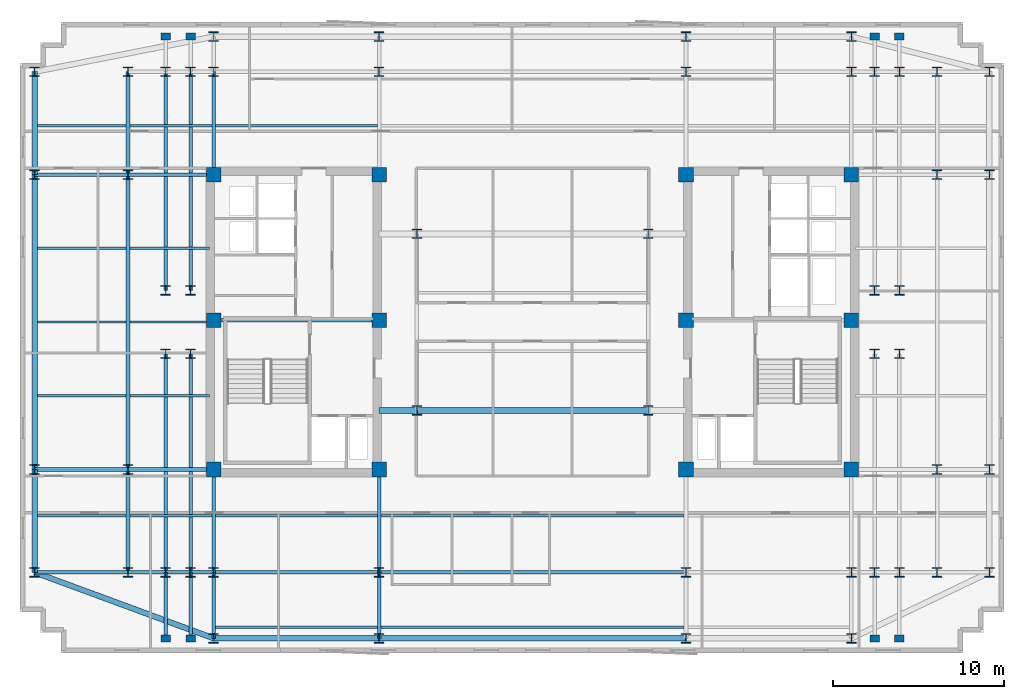
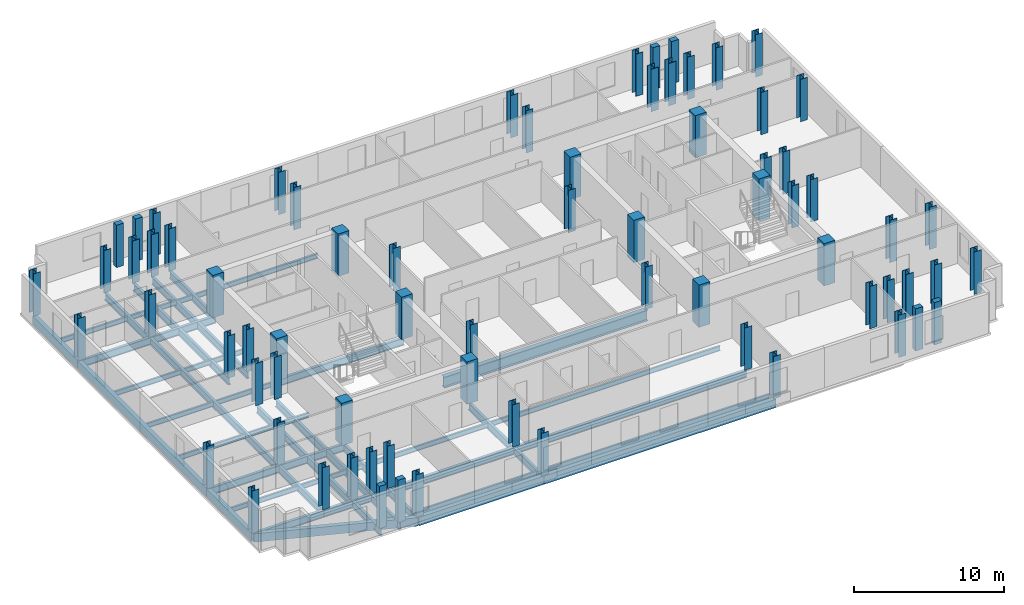
# One storey, part 1 of 9: 72 columns, 46 beams.
"""IFC4 building model written with IfcOpenShell, lengths in metres."""

from ifc_helpers import new_model, si_unit, direction, frame, origin, origin_2d, place, context, subcontext, project, spatial, rectangle, i_section, extrude, material, material_profile, profile_set, type_object, element, save


model = new_model("IFC4")

# Units and contexts
model_context = context("Model", 3, precision=1e-05, world=origin(), true_north=direction((0.0, 1.0)))
body_context = subcontext(model_context, "Body", "Model", "MODEL_VIEW")
ifc_project = project(units=[si_unit("LENGTHUNIT", "METRE"), si_unit("AREAUNIT", "SQUARE_METRE"), si_unit("VOLUMEUNIT", "CUBIC_METRE"), si_unit("PLANEANGLEUNIT", "RADIAN"), si_unit("MASSUNIT", "GRAM", prefix="KILO")], contexts=[model_context])

# Site, building, storey
site_placement = place(None, origin())
site = spatial("IfcSite", under=ifc_project, at=site_placement, CompositionType="ELEMENT")
building_placement = place(site_placement, origin())
building = spatial("IfcBuilding", under=site, at=building_placement, Name="Velakula Bourse", CompositionType="ELEMENT")
storey_placement = place(building_placement, frame((0.0, 0.0, 229.199951171875)))
storey = spatial("IfcBuildingStorey", under=building, at=storey_placement, Name="L62", CompositionType="ELEMENT", Elevation=229.199951171875)

# Columns
ifc_material_1 = material(Name="Concrete M50 (fck 50 MPa)", Category="concrete")
ifc_material_profile_1 = material_profile(ifc_material_1, rectangle(XDim=0.85009765625, YDim=0.85009765625, at=origin_2d()), Name="Concrete M50 (fck 50 MPa)")
ifc_profile_set_1 = profile_set([ifc_material_profile_1], Name="Concrete M50 (fck 50 MPa)")
column_type_1 = type_object("IfcColumnType", Name="COL-RC-850", PredefinedType="COLUMN", material=ifc_profile_set_1)
for number, where, z_axis, x_axis, name in (
    (1, (-8.949951171875, -8.60009765625, 0.0), (0.0, 0.0, 1.0), (1.0, 0.0, 0.0), "L62 Core Boundary Column 01"),
    (2, (-8.949951171875, 0.10009765625, 0.0), (0.0, 0.0, 1.0), (1.0, 0.0, 0.0), "L62 Core Boundary Column 02"),
    (3, (-8.949951171875, 8.60009765625, 0.0), (0.0, 0.0, 1.0), (1.0, 0.0, 0.0), "L62 Core Boundary Column 03"),
    (4, (-18.60009765625, -8.60009765625, 0.0), (0.0, 0.0, 1.0), (1.0, 0.0, 0.0), "L62 Core Boundary Column 04"),
    (5, (-18.60009765625, 0.10009765625, 0.0), (0.0, 0.0, 1.0), (1.0, 0.0, 0.0), "L62 Core Boundary Column 05"),
    (6, (-18.60009765625, 8.60009765625, 0.0), (0.0, 0.0, 1.0), (1.0, 0.0, 0.0), "L62 Core Boundary Column 06"),
    (7, (8.949951171875, -8.60009765625, 0.0), (0.0, 0.0, 1.0), (1.0, 0.0, 0.0), "L62 Core Boundary Column 07"),
    (8, (8.949951171875, 0.10009765625, 0.0), (0.0, 0.0, 1.0), (1.0, 0.0, 0.0), "L62 Core Boundary Column 08"),
    (9, (8.949951171875, 8.60009765625, 0.0), (0.0, 0.0, 1.0), (1.0, 0.0, 0.0), "L62 Core Boundary Column 09"),
    (10, (18.60009765625, -8.60009765625, 0.0), (0.0, 0.0, 1.0), (1.0, 0.0, 0.0), "L62 Core Boundary Column 10"),
    (11, (18.60009765625, 0.10009765625, 0.0), (0.0, 0.0, 1.0), (1.0, 0.0, 0.0), "L62 Core Boundary Column 11"),
    (12, (18.60009765625, 8.60009765625, 0.0), (0.0, 0.0, 1.0), (1.0, 0.0, 0.0), "L62 Core Boundary Column 12"),
):
    element("IfcColumn", number, at=place(storey_placement, frame(where, z_axis=z_axis, x_axis=x_axis)), inside=storey, type_object=column_type_1, Name=name, PredefinedType="COLUMN", context=body_context, shape_type="SweptSolid", body=[
        extrude(rectangle(XDim=0.85009765625, YDim=0.85009765625, at=origin_2d()), origin(), (0.0, 0.0, 1.0), 3.449951171875),
    ])
ifc_material_2 = material(Name="Steel IS 2062 Grade 350 (E350)", Category="steel")
ifc_material_profile_2 = material_profile(ifc_material_2, i_section(OverallWidth=0.550048828125, OverallDepth=0.550048828125, WebThickness=0.02392578125, FlangeThickness=0.035888671875, at=origin_2d()), Name="Steel IS 2062 Grade 350 (E350)")
ifc_profile_set_2 = profile_set([ifc_material_profile_2], Name="Steel IS 2062 Grade 350 (E350)")
column_type_2 = type_object("IfcColumnType", Name="COL-STL-550", PredefinedType="COLUMN", material=ifc_profile_set_2)
for number, where, z_axis, x_axis, name in (
    (13, (-6.75, -5.14990234375, 0.0), (0.0, 0.0, 1.0), (1.0, 0.0, 0.0), "L62 Central Spine Column 01"),
    (14, (-6.75, 5.14990234375, 0.0), (0.0, 0.0, 1.0), (1.0, 0.0, 0.0), "L62 Central Spine Column 02"),
    (15, (6.75, -5.14990234375, 0.0), (0.0, 0.0, 1.0), (1.0, 0.0, 0.0), "L62 Central Spine Column 03"),
    (16, (6.75, 5.14990234375, 0.0), (0.0, 0.0, 1.0), (1.0, 0.0, 0.0), "L62 Central Spine Column 04"),
    (17, (-21.39990234375, -14.60009765625, 0.0), (0.0, 0.0, 1.0), (1.0, 0.0, 0.0), "L62 Tower Fulcrum Column 01"),
    (18, (-21.39990234375, 14.60009765625, 0.0), (0.0, 0.0, 1.0), (1.0, 0.0, 0.0), "L62 Tower Fulcrum Column 02"),
    (19, (-19.949951171875, -14.60009765625, 0.0), (0.0, 0.0, 1.0), (1.0, 0.0, 0.0), "L62 Tower Fulcrum Column 03"),
    (20, (-19.949951171875, 14.60009765625, 0.0), (0.0, 0.0, 1.0), (1.0, 0.0, 0.0), "L62 Tower Fulcrum Column 04"),
    (21, (-18.60009765625, -14.60009765625, 0.0), (0.0, 0.0, 1.0), (1.0, 0.0, 0.0), "L62 Tower Fulcrum Column 05"),
    (22, (-18.60009765625, 14.60009765625, 0.0), (0.0, 0.0, 1.0), (1.0, 0.0, 0.0), "L62 Tower Fulcrum Column 06"),
    (23, (-8.949951171875, -14.60009765625, 0.0), (0.0, 0.0, 1.0), (1.0, 0.0, 0.0), "L62 Tower Fulcrum Column 07"),
    (24, (-8.949951171875, 14.60009765625, 0.0), (0.0, 0.0, 1.0), (1.0, 0.0, 0.0), "L62 Tower Fulcrum Column 08"),
    (25, (8.949951171875, -14.60009765625, 0.0), (0.0, 0.0, 1.0), (1.0, 0.0, 0.0), "L62 Tower Fulcrum Column 09"),
    (26, (8.949951171875, 14.60009765625, 0.0), (0.0, 0.0, 1.0), (1.0, 0.0, 0.0), "L62 Tower Fulcrum Column 10"),
    (27, (18.60009765625, -14.60009765625, 0.0), (0.0, 0.0, 1.0), (1.0, 0.0, 0.0), "L62 Tower Fulcrum Column 11"),
    (28, (18.60009765625, 14.60009765625, 0.0), (0.0, 0.0, 1.0), (1.0, 0.0, 0.0), "L62 Tower Fulcrum Column 12"),
    (29, (19.949951171875, -14.60009765625, 0.0), (0.0, 0.0, 1.0), (1.0, 0.0, 0.0), "L62 Tower Fulcrum Column 13"),
    (30, (19.949951171875, 14.60009765625, 0.0), (0.0, 0.0, 1.0), (1.0, 0.0, 0.0), "L62 Tower Fulcrum Column 14"),
    (31, (21.39990234375, -14.60009765625, 0.0), (0.0, 0.0, 1.0), (1.0, 0.0, 0.0), "L62 Tower Fulcrum Column 15"),
    (32, (21.39990234375, 14.60009765625, 0.0), (0.0, 0.0, 1.0), (1.0, 0.0, 0.0), "L62 Tower Fulcrum Column 16"),
    (33, (-21.39990234375, -1.85009765625, 0.0), (0.0, 0.0, 1.0), (1.0, 0.0, 0.0), "L62 Tower Fulcrum Column 17"),
    (34, (-21.39990234375, 1.85009765625, 0.0), (0.0, 0.0, 1.0), (1.0, 0.0, 0.0), "L62 Tower Fulcrum Column 18"),
    (35, (-19.949951171875, -1.85009765625, 0.0), (0.0, 0.0, 1.0), (1.0, 0.0, 0.0), "L62 Tower Fulcrum Column 19"),
    (36, (-19.949951171875, 1.85009765625, 0.0), (0.0, 0.0, 1.0), (1.0, 0.0, 0.0), "L62 Tower Fulcrum Column 20"),
    (37, (19.949951171875, -1.85009765625, 0.0), (0.0, 0.0, 1.0), (1.0, 0.0, 0.0), "L62 Tower Fulcrum Column 21"),
    (38, (19.949951171875, 1.85009765625, 0.0), (0.0, 0.0, 1.0), (1.0, 0.0, 0.0), "L62 Tower Fulcrum Column 22"),
    (39, (21.39990234375, -1.85009765625, 0.0), (0.0, 0.0, 1.0), (1.0, 0.0, 0.0), "L62 Tower Fulcrum Column 23"),
    (40, (21.39990234375, 1.85009765625, 0.0), (0.0, 0.0, 1.0), (1.0, 0.0, 0.0), "L62 Tower Fulcrum Column 24"),
    (41, (-23.60009765625, -14.60009765625, 0.0), (0.0, 0.0, 1.0), (1.0, 0.0, 0.0), "L62 Mid-Wing Plumb Column 01"),
    (42, (-23.60009765625, -8.60009765625, 0.0), (0.0, 0.0, 1.0), (1.0, 0.0, 0.0), "L62 Mid-Wing Plumb Column 02"),
    (43, (-23.60009765625, 8.60009765625, 0.0), (0.0, 0.0, 1.0), (1.0, 0.0, 0.0), "L62 Mid-Wing Plumb Column 03"),
    (44, (-23.60009765625, 14.60009765625, 0.0), (0.0, 0.0, 1.0), (1.0, 0.0, 0.0), "L62 Mid-Wing Plumb Column 04"),
    (45, (23.60009765625, -14.60009765625, 0.0), (0.0, 0.0, 1.0), (1.0, 0.0, 0.0), "L62 Mid-Wing Plumb Column 05"),
    (46, (23.60009765625, -8.60009765625, 0.0), (0.0, 0.0, 1.0), (1.0, 0.0, 0.0), "L62 Mid-Wing Plumb Column 06"),
    (47, (23.60009765625, 8.60009765625, 0.0), (0.0, 0.0, 1.0), (1.0, 0.0, 0.0), "L62 Mid-Wing Plumb Column 07"),
    (48, (23.60009765625, 14.60009765625, 0.0), (0.0, 0.0, 1.0), (1.0, 0.0, 0.0), "L62 Mid-Wing Plumb Column 08"),
    (49, (-18.60009765625, -18.449951171875, 0.0), (0.0, 0.0, 1.0), (1.0, 0.0, 0.0), "L62 Block B5 Perimeter Column S1"),
    (50, (-8.949951171875, -18.449951171875, 0.0), (0.0, 0.0, 1.0), (1.0, 0.0, 0.0), "L62 Block B5 Perimeter Column S2"),
    (51, (8.949951171875, -18.449951171875, 0.0), (0.0, 0.0, 1.0), (1.0, 0.0, 0.0), "L62 Block B5 Perimeter Column S3"),
    (52, (18.60009765625, -18.449951171875, 0.0), (0.0, 0.0, 1.0), (1.0, 0.0, 0.0), "L62 Block B5 Perimeter Column S4"),
    (53, (-18.60009765625, 16.64990234375, 0.0), (0.0, 0.0, 1.0), (1.0, 0.0, 0.0), "L62 Block B5 Perimeter Column N1"),
    (54, (-8.949951171875, 16.64990234375, 0.0), (0.0, 0.0, 1.0), (1.0, 0.0, 0.0), "L62 Block B5 Perimeter Column N2"),
    (55, (8.949951171875, 16.64990234375, 0.0), (0.0, 0.0, 1.0), (1.0, 0.0, 0.0), "L62 Block B5 Perimeter Column N3"),
    (56, (18.60009765625, 16.64990234375, 0.0), (0.0, 0.0, 1.0), (1.0, 0.0, 0.0), "L62 Block B5 Perimeter Column N4"),
    (57, (-29.050048828125, -14.60009765625, 0.0), (0.0, 0.0, 1.0), (1.0, 0.0, 0.0), "L62 Block B5 Perimeter Column W1"),
    (58, (-29.050048828125, -8.60009765625, 0.0), (0.0, 0.0, 1.0), (1.0, 0.0, 0.0), "L62 Block B5 Perimeter Column W2"),
    (59, (-29.050048828125, 8.60009765625, 0.0), (0.0, 0.0, 1.0), (1.0, 0.0, 0.0), "L62 Block B5 Perimeter Column W3"),
    (60, (-29.050048828125, 14.60009765625, 0.0), (0.0, 0.0, 1.0), (1.0, 0.0, 0.0), "L62 Block B5 Perimeter Column W4"),
    (61, (26.64990234375, -14.60009765625, 0.0), (0.0, 0.0, 1.0), (1.0, 0.0, 0.0), "L62 Block B5 Perimeter Column E1"),
    (62, (26.64990234375, -8.60009765625, 0.0), (0.0, 0.0, 1.0), (1.0, 0.0, 0.0), "L62 Block B5 Perimeter Column E2"),
    (63, (26.64990234375, 8.60009765625, 0.0), (0.0, 0.0, 1.0), (1.0, 0.0, 0.0), "L62 Block B5 Perimeter Column E3"),
    (64, (26.64990234375, 14.60009765625, 0.0), (0.0, 0.0, 1.0), (1.0, 0.0, 0.0), "L62 Block B5 Perimeter Column E4"),
):
    element("IfcColumn", number, at=place(storey_placement, frame(where, z_axis=z_axis, x_axis=x_axis)), inside=storey, type_object=column_type_2, Name=name, PredefinedType="COLUMN", context=body_context, shape_type="SweptSolid", body=[
        extrude(i_section(OverallWidth=0.550048828125, OverallDepth=0.550048828125, WebThickness=0.02392578125, FlangeThickness=0.035888671875, at=origin_2d()), origin(), (0.0, 0.0, 1.0), 3.449951171875),
    ])
ifc_material_3 = material(Name="Precast concrete M45 (fck 45 MPa)", Category="concrete")
ifc_material_profile_3 = material_profile(ifc_material_3, rectangle(XDim=0.550048828125, YDim=0.39990234375, at=origin_2d()), Name="Precast concrete M45 (fck 45 MPa)")
ifc_profile_set_3 = profile_set([ifc_material_profile_3], Name="Precast concrete M45 (fck 45 MPa)")
column_type_3 = type_object("IfcColumnType", Name="PIL-BRICK-550", PredefinedType="PILASTER", material=ifc_profile_set_3)
for number, where, z_axis, x_axis, name in (
    (65, (-21.39990234375, -18.449951171875, 0.0), (0.0, 0.0, 1.0), (1.0, 0.0, 0.0), "L62 Brick Pier Pilaster 01"),
    (66, (-19.949951171875, -18.449951171875, 0.0), (0.0, 0.0, 1.0), (1.0, 0.0, 0.0), "L62 Brick Pier Pilaster 02"),
    (67, (19.949951171875, -18.449951171875, 0.0), (0.0, 0.0, 1.0), (1.0, 0.0, 0.0), "L62 Brick Pier Pilaster 03"),
    (68, (21.39990234375, -18.449951171875, 0.0), (0.0, 0.0, 1.0), (1.0, 0.0, 0.0), "L62 Brick Pier Pilaster 04"),
    (69, (-21.39990234375, 16.64990234375, 0.0), (0.0, 0.0, 1.0), (1.0, 0.0, 0.0), "L62 Brick Pier Pilaster 05"),
    (70, (-19.949951171875, 16.64990234375, 0.0), (0.0, 0.0, 1.0), (1.0, 0.0, 0.0), "L62 Brick Pier Pilaster 06"),
    (71, (19.949951171875, 16.64990234375, 0.0), (0.0, 0.0, 1.0), (1.0, 0.0, 0.0), "L62 Brick Pier Pilaster 07"),
    (72, (21.39990234375, 16.64990234375, 0.0), (0.0, 0.0, 1.0), (1.0, 0.0, 0.0), "L62 Brick Pier Pilaster 08"),
):
    element("IfcColumn", number, at=place(storey_placement, frame(where, z_axis=z_axis, x_axis=x_axis)), inside=storey, type_object=column_type_3, Name=name, PredefinedType="PILASTER", context=body_context, shape_type="SweptSolid", body=[
        extrude(rectangle(XDim=0.550048828125, YDim=0.39990234375, at=origin_2d()), origin(), (0.0, 0.0, 1.0), 3.449951171875),
    ])

# Beams
ifc_material_profile_4 = material_profile(ifc_material_2, i_section(OverallWidth=0.2099609375, OverallDepth=0.60009765625, WebThickness=0.011962890625, FlangeThickness=0.020751953125, at=origin_2d()), Name="Steel IS 2062 Grade 350 (E350)")
ifc_profile_set_4 = profile_set([ifc_material_profile_4], Name="Steel IS 2062 Grade 350 (E350)")
beam_type_1 = type_object("IfcBeamType", Name="BM-GRD-600L", PredefinedType="BEAM", material=ifc_profile_set_4)
beam_1_placement = place(storey_placement, frame((-18.60009765625, 0.10009765625, -0.47998046875), z_axis=(1.0, 0.0, 0.0), x_axis=(0.0, 1.0, 0.0)))
element("IfcBeam", 73, at=beam_1_placement, inside=storey, type_object=beam_type_1, Name="L62 Primary Backbone Girder CRW-M", PredefinedType="BEAM", context=body_context, shape_type="SweptSolid", body=[
    extrude(i_section(OverallWidth=0.2099609375, OverallDepth=0.60009765625, WebThickness=0.011962890625, FlangeThickness=0.020751953125, at=origin_2d()), origin(), (0.0, 0.0, 1.0), 9.650146484375),
])
for number, where, z_axis, x_axis, name in (
    (74, (-18.60009765625, -14.60009765625, -0.47998046875), (0.0, 1.0, 0.0), (-1.0, 0.0, 0.0), "L62 Fulcrum Grid Girder FLC-WS"),
    (75, (-18.60009765625, 8.60009765625, -0.47998046875), (0.0, 1.0, 0.0), (-1.0, 0.0, 0.0), "L62 Fulcrum Grid Girder FLC-WN"),
    (76, (-8.949951171875, -14.60009765625, -0.47998046875), (0.0, 1.0, 0.0), (-1.0, 0.0, 0.0), "L62 Fulcrum Grid Girder FLC-WCS"),
):
    element("IfcBeam", number, at=place(storey_placement, frame(where, z_axis=z_axis, x_axis=x_axis)), inside=storey, type_object=beam_type_1, Name=name, PredefinedType="BEAM", context=body_context, shape_type="SweptSolid", body=[
        extrude(i_section(OverallWidth=0.2099609375, OverallDepth=0.60009765625, WebThickness=0.011962890625, FlangeThickness=0.020751953125, at=origin_2d()), origin(), (0.0, 0.0, 1.0), 6.0),
    ])
beam_2_placement = place(storey_placement, frame((-18.60009765625, -14.60009765625, -0.47998046875), z_axis=(1.0, 0.0, 0.0), x_axis=(0.0, 1.0, 0.0)))
element("IfcBeam", 77, at=beam_2_placement, inside=storey, type_object=beam_type_1, Name="L62 Fulcrum Grid Girder FLC-S1", PredefinedType="BEAM", context=body_context, shape_type="SweptSolid", body=[
    extrude(i_section(OverallWidth=0.2099609375, OverallDepth=0.60009765625, WebThickness=0.011962890625, FlangeThickness=0.020751953125, at=origin_2d()), origin(), (0.0, 0.0, 1.0), 9.650146484375),
])
beam_3_placement = place(storey_placement, frame((-8.949951171875, -14.60009765625, -0.47998046875), z_axis=(1.0, 0.0, 0.0), x_axis=(0.0, 1.0, 0.0)))
element("IfcBeam", 78, at=beam_3_placement, inside=storey, type_object=beam_type_1, Name="L62 Fulcrum Grid Girder FLC-S2", PredefinedType="BEAM", context=body_context, shape_type="SweptSolid", body=[
    extrude(i_section(OverallWidth=0.2099609375, OverallDepth=0.60009765625, WebThickness=0.011962890625, FlangeThickness=0.020751953125, at=origin_2d()), origin(), (0.0, 0.0, 1.0), 17.89990234375),
])
for number, where, z_axis, x_axis, name in (
    (79, (-21.39990234375, -14.60009765625, -0.47998046875), (0.0, 1.0, 0.0), (-1.0, 0.0, 0.0), "L62 Fulcrum Grid Girder FLC-PSW1"),
    (80, (-21.39990234375, 1.85009765625, -0.47998046875), (0.0, 1.0, 0.0), (-1.0, 0.0, 0.0), "L62 Fulcrum Grid Girder FLC-PNW1"),
    (81, (-19.949951171875, -14.60009765625, -0.47998046875), (0.0, 1.0, 0.0), (-1.0, 0.0, 0.0), "L62 Fulcrum Grid Girder FLC-PSW2"),
    (82, (-19.949951171875, 1.85009765625, -0.47998046875), (0.0, 1.0, 0.0), (-1.0, 0.0, 0.0), "L62 Fulcrum Grid Girder FLC-PNW2"),
):
    element("IfcBeam", number, at=place(storey_placement, frame(where, z_axis=z_axis, x_axis=x_axis)), inside=storey, type_object=beam_type_1, Name=name, PredefinedType="BEAM", context=body_context, shape_type="SweptSolid", body=[
        extrude(i_section(OverallWidth=0.2099609375, OverallDepth=0.60009765625, WebThickness=0.011962890625, FlangeThickness=0.020751953125, at=origin_2d()), origin(), (0.0, 0.0, 1.0), 12.75),
    ])
for number, where, z_axis, x_axis, name in (
    (83, (-23.60009765625, -14.60009765625, -0.47998046875), (1.0, 0.0, 0.0), (0.0, 1.0, 0.0), "L62 Fulcrum Grid Girder MWG-WS1"),
    (84, (-23.60009765625, -8.60009765625, -0.47998046875), (1.0, 0.0, 0.0), (0.0, 1.0, 0.0), "L62 Fulcrum Grid Girder MWG-WS2"),
    (85, (-23.60009765625, 8.60009765625, -0.47998046875), (1.0, 0.0, 0.0), (0.0, 1.0, 0.0), "L62 Fulcrum Grid Girder MWG-WN1"),
):
    element("IfcBeam", number, at=place(storey_placement, frame(where, z_axis=z_axis, x_axis=x_axis)), inside=storey, type_object=beam_type_1, Name=name, PredefinedType="BEAM", context=body_context, shape_type="SweptSolid", body=[
        extrude(i_section(OverallWidth=0.2099609375, OverallDepth=0.60009765625, WebThickness=0.011962890625, FlangeThickness=0.020751953125, at=origin_2d()), origin(), (0.0, 0.0, 1.0), 5.0),
    ])
beam_4_placement = place(storey_placement, frame((-23.60009765625, -14.60009765625, -0.47998046875), z_axis=(0.0, 1.0, 0.0), x_axis=(-1.0, 0.0, 0.0)))
element("IfcBeam", 86, at=beam_4_placement, inside=storey, type_object=beam_type_1, Name="L62 Fulcrum Grid Girder MWG-WNS1", PredefinedType="BEAM", context=body_context, shape_type="SweptSolid", body=[
    extrude(i_section(OverallWidth=0.2099609375, OverallDepth=0.60009765625, WebThickness=0.011962890625, FlangeThickness=0.020751953125, at=origin_2d()), origin(), (0.0, 0.0, 1.0), 6.0),
])
beam_5_placement = place(storey_placement, frame((-23.60009765625, -8.60009765625, -0.47998046875), z_axis=(0.0, 1.0, 0.0), x_axis=(-1.0, 0.0, 0.0)))
element("IfcBeam", 87, at=beam_5_placement, inside=storey, type_object=beam_type_1, Name="L62 Fulcrum Grid Girder MWG-WNS2", PredefinedType="BEAM", context=body_context, shape_type="SweptSolid", body=[
    extrude(i_section(OverallWidth=0.2099609375, OverallDepth=0.60009765625, WebThickness=0.011962890625, FlangeThickness=0.020751953125, at=origin_2d()), origin(), (0.0, 0.0, 1.0), 17.2001953125),
])
beam_6_placement = place(storey_placement, frame((-23.60009765625, 8.60009765625, -0.47998046875), z_axis=(0.0, 1.0, 0.0), x_axis=(-1.0, 0.0, 0.0)))
element("IfcBeam", 88, at=beam_6_placement, inside=storey, type_object=beam_type_1, Name="L62 Fulcrum Grid Girder MWG-WNS3", PredefinedType="BEAM", context=body_context, shape_type="SweptSolid", body=[
    extrude(i_section(OverallWidth=0.2099609375, OverallDepth=0.60009765625, WebThickness=0.011962890625, FlangeThickness=0.020751953125, at=origin_2d()), origin(), (0.0, 0.0, 1.0), 6.0),
])
for number, where, z_axis, x_axis, name in (
    (89, (-18.60009765625, -14.60009765625, -0.47998046875), (0.0, -1.0, 0.0), (1.0, 0.0, 0.0), "L62 Perimeter Tie Girder S1"),
    (90, (-8.949951171875, -14.60009765625, -0.47998046875), (0.0, -1.0, 0.0), (1.0, 0.0, 0.0), "L62 Perimeter Tie Girder S2"),
):
    element("IfcBeam", number, at=place(storey_placement, frame(where, z_axis=z_axis, x_axis=x_axis)), inside=storey, type_object=beam_type_1, Name=name, PredefinedType="BEAM", context=body_context, shape_type="SweptSolid", body=[
        extrude(i_section(OverallWidth=0.2099609375, OverallDepth=0.60009765625, WebThickness=0.011962890625, FlangeThickness=0.020751953125, at=origin_2d()), origin(), (0.0, 0.0, 1.0), 3.849853515625),
    ])
for number, where, z_axis, x_axis, name in (
    (91, (-23.60009765625, -14.60009765625, -0.47998046875), (-1.0, 0.0, 0.0), (0.0, -1.0, 0.0), "L62 Perimeter Tie Girder W1"),
    (92, (-23.60009765625, -8.60009765625, -0.47998046875), (-1.0, 0.0, 0.0), (0.0, -1.0, 0.0), "L62 Perimeter Tie Girder W2"),
    (93, (-23.60009765625, 8.60009765625, -0.47998046875), (-1.0, 0.0, 0.0), (0.0, -1.0, 0.0), "L62 Perimeter Tie Girder W3"),
):
    element("IfcBeam", number, at=place(storey_placement, frame(where, z_axis=z_axis, x_axis=x_axis)), inside=storey, type_object=beam_type_1, Name=name, PredefinedType="BEAM", context=body_context, shape_type="SweptSolid", body=[
        extrude(i_section(OverallWidth=0.2099609375, OverallDepth=0.60009765625, WebThickness=0.011962890625, FlangeThickness=0.020751953125, at=origin_2d()), origin(), (0.0, 0.0, 1.0), 5.449951171875),
    ])
for number, where, z_axis, x_axis, name in (
    (94, (-21.39990234375, -14.60009765625, -0.47998046875), (0.0, -1.0, 0.0), (1.0, 0.0, 0.0), "L62 Perimeter Tie Girder P01"),
    (95, (-19.949951171875, -14.60009765625, -0.47998046875), (0.0, -1.0, 0.0), (1.0, 0.0, 0.0), "L62 Perimeter Tie Girder P02"),
):
    element("IfcBeam", number, at=place(storey_placement, frame(where, z_axis=z_axis, x_axis=x_axis)), inside=storey, type_object=beam_type_1, Name=name, PredefinedType="BEAM", context=body_context, shape_type="SweptSolid", body=[
        extrude(i_section(OverallWidth=0.2099609375, OverallDepth=0.60009765625, WebThickness=0.011962890625, FlangeThickness=0.020751953125, at=origin_2d()), origin(), (0.0, 0.0, 1.0), 3.849853515625),
    ])
ifc_material_profile_5 = material_profile(ifc_material_2, i_section(OverallWidth=0.35009765625, OverallDepth=0.89990234375, WebThickness=0.02001953125, FlangeThickness=0.031982421875, at=origin_2d()), Name="Steel IS 2062 Grade 350 (E350)")
ifc_profile_set_5 = profile_set([ifc_material_profile_5], Name="Steel IS 2062 Grade 350 (E350)")
beam_type_2 = type_object("IfcBeamType", Name="BM-LNK-900", PredefinedType="BEAM", material=ifc_profile_set_5)
beam_7_placement = place(storey_placement, frame((-8.949951171875, -5.14990234375, -0.6298828125), z_axis=(1.0, 0.0, 0.0), x_axis=(0.0, 1.0, 0.0)))
element("IfcBeam", 96, at=beam_7_placement, inside=storey, type_object=beam_type_2, Name="L62 Primary Backbone Girder LNK-S1", PredefinedType="BEAM", context=body_context, shape_type="SweptSolid", body=[
    extrude(i_section(OverallWidth=0.35009765625, OverallDepth=0.89990234375, WebThickness=0.02001953125, FlangeThickness=0.031982421875, at=origin_2d()), origin(), (0.0, 0.0, 1.0), 2.199951171875),
])
beam_8_placement = place(storey_placement, frame((-6.75, -5.14990234375, -0.6298828125), z_axis=(1.0, 0.0, 0.0), x_axis=(0.0, 1.0, 0.0)))
element("IfcBeam", 97, at=beam_8_placement, inside=storey, type_object=beam_type_2, Name="L62 Primary Backbone Girder LNK-S2", PredefinedType="BEAM", context=body_context, shape_type="SweptSolid", body=[
    extrude(i_section(OverallWidth=0.35009765625, OverallDepth=0.89990234375, WebThickness=0.02001953125, FlangeThickness=0.031982421875, at=origin_2d()), origin(), (0.0, 0.0, 1.0), 13.5),
])
ifc_material_profile_6 = material_profile(ifc_material_2, i_section(OverallWidth=0.139892578125, OverallDepth=0.39990234375, WebThickness=0.0087890625, FlangeThickness=0.01611328125, at=origin_2d()), Name="Steel IS 2062 Grade 350 (E350)")
ifc_profile_set_6 = profile_set([ifc_material_profile_6], Name="Steel IS 2062 Grade 350 (E350)")
beam_type_3 = type_object("IfcBeamType", Name="JST-TWR-400", PredefinedType="JOIST", material=ifc_profile_set_6)
beam_9_placement = place(storey_placement, frame((-18.4951171875, -17.800048828125, -0.3798828125), z_axis=(1.0, 0.0, 0.0), x_axis=(0.0, 1.0, 0.0)))
element("IfcBeam", 98, at=beam_9_placement, inside=storey, type_object=beam_type_3, Name="L62 Trading Floor Composite Joist 01", PredefinedType="JOIST", context=body_context, shape_type="SweptSolid", body=[
    extrude(i_section(OverallWidth=0.139892578125, OverallDepth=0.39990234375, WebThickness=0.0087890625, FlangeThickness=0.01611328125, at=origin_2d()), origin(), (0.0, 0.0, 1.0), 9.440185546875),
])
beam_10_placement = place(storey_placement, frame((-8.844970703125, -17.800048828125, -0.3798828125), z_axis=(1.0, 0.0, 0.0), x_axis=(0.0, 1.0, 0.0)))
element("IfcBeam", 99, at=beam_10_placement, inside=storey, type_object=beam_type_3, Name="L62 Trading Floor Composite Joist 02", PredefinedType="JOIST", context=body_context, shape_type="SweptSolid", body=[
    extrude(i_section(OverallWidth=0.139892578125, OverallDepth=0.39990234375, WebThickness=0.0087890625, FlangeThickness=0.01611328125, at=origin_2d()), origin(), (0.0, 0.0, 1.0), 17.68994140625),
])
beam_11_placement = place(storey_placement, frame((-28.889892578125, -11.300048828125, -0.3798828125), z_axis=(1.0, 0.0, 0.0), x_axis=(0.0, 1.0, 0.0)))
element("IfcBeam", 100, at=beam_11_placement, inside=storey, type_object=beam_type_3, Name="L62 Trading Floor Composite Joist 04", PredefinedType="JOIST", context=body_context, shape_type="SweptSolid", body=[
    extrude(i_section(OverallWidth=0.139892578125, OverallDepth=0.39990234375, WebThickness=0.0087890625, FlangeThickness=0.01611328125, at=origin_2d()), origin(), (0.0, 0.0, 1.0), 5.184814453125),
])
beam_12_placement = place(storey_placement, frame((-23.4951171875, -11.300048828125, -0.3798828125), z_axis=(1.0, 0.0, 0.0), x_axis=(0.0, 1.0, 0.0)))
element("IfcBeam", 101, at=beam_12_placement, inside=storey, type_object=beam_type_3, Name="L62 Trading Floor Composite Joist 05", PredefinedType="JOIST", context=body_context, shape_type="SweptSolid", body=[
    extrude(i_section(OverallWidth=0.139892578125, OverallDepth=0.39990234375, WebThickness=0.0087890625, FlangeThickness=0.01611328125, at=origin_2d()), origin(), (0.0, 0.0, 1.0), 4.7900390625),
])
beam_13_placement = place(storey_placement, frame((-18.4951171875, -11.300048828125, -0.3798828125), z_axis=(1.0, 0.0, 0.0), x_axis=(0.0, 1.0, 0.0)))
element("IfcBeam", 102, at=beam_13_placement, inside=storey, type_object=beam_type_3, Name="L62 Trading Floor Composite Joist 06", PredefinedType="JOIST", context=body_context, shape_type="SweptSolid", body=[
    extrude(i_section(OverallWidth=0.139892578125, OverallDepth=0.39990234375, WebThickness=0.0087890625, FlangeThickness=0.01611328125, at=origin_2d()), origin(), (0.0, 0.0, 1.0), 9.440185546875),
])
beam_14_placement = place(storey_placement, frame((-8.844970703125, -11.300048828125, -0.3798828125), z_axis=(1.0, 0.0, 0.0), x_axis=(0.0, 1.0, 0.0)))
element("IfcBeam", 103, at=beam_14_placement, inside=storey, type_object=beam_type_3, Name="L62 Trading Floor Composite Joist 07", PredefinedType="JOIST", context=body_context, shape_type="SweptSolid", body=[
    extrude(i_section(OverallWidth=0.139892578125, OverallDepth=0.39990234375, WebThickness=0.0087890625, FlangeThickness=0.01611328125, at=origin_2d()), origin(), (0.0, 0.0, 1.0), 17.68994140625),
])
beam_15_placement = place(storey_placement, frame((-28.889892578125, 11.449951171875, -0.3798828125), z_axis=(1.0, 0.0, 0.0), x_axis=(0.0, 1.0, 0.0)))
element("IfcBeam", 104, at=beam_15_placement, inside=storey, type_object=beam_type_3, Name="L62 Trading Floor Composite Joist 11", PredefinedType="JOIST", context=body_context, shape_type="SweptSolid", body=[
    extrude(i_section(OverallWidth=0.139892578125, OverallDepth=0.39990234375, WebThickness=0.0087890625, FlangeThickness=0.01611328125, at=origin_2d()), origin(), (0.0, 0.0, 1.0), 5.184814453125),
])
beam_16_placement = place(storey_placement, frame((-23.4951171875, 11.449951171875, -0.3798828125), z_axis=(1.0, 0.0, 0.0), x_axis=(0.0, 1.0, 0.0)))
element("IfcBeam", 105, at=beam_16_placement, inside=storey, type_object=beam_type_3, Name="L62 Trading Floor Composite Joist 12", PredefinedType="JOIST", context=body_context, shape_type="SweptSolid", body=[
    extrude(i_section(OverallWidth=0.139892578125, OverallDepth=0.39990234375, WebThickness=0.0087890625, FlangeThickness=0.01611328125, at=origin_2d()), origin(), (0.0, 0.0, 1.0), 4.7900390625),
])
beam_17_placement = place(storey_placement, frame((-18.4951171875, 11.449951171875, -0.3798828125), z_axis=(1.0, 0.0, 0.0), x_axis=(0.0, 1.0, 0.0)))
element("IfcBeam", 106, at=beam_17_placement, inside=storey, type_object=beam_type_3, Name="L62 Trading Floor Composite Joist 13", PredefinedType="JOIST", context=body_context, shape_type="SweptSolid", body=[
    extrude(i_section(OverallWidth=0.139892578125, OverallDepth=0.39990234375, WebThickness=0.0087890625, FlangeThickness=0.01611328125, at=origin_2d()), origin(), (0.0, 0.0, 1.0), 9.440185546875),
])
beam_18_placement = place(storey_placement, frame((-28.889892578125, -4.300048828125, -0.3798828125), z_axis=(1.0, 0.0, 0.0), x_axis=(0.0, 1.0, 0.0)))
element("IfcBeam", 107, at=beam_18_placement, inside=storey, type_object=beam_type_3, Name="L62 Trading Floor Composite Joist 20", PredefinedType="JOIST", context=body_context, shape_type="SweptSolid", body=[
    extrude(i_section(OverallWidth=0.139892578125, OverallDepth=0.39990234375, WebThickness=0.0087890625, FlangeThickness=0.01611328125, at=origin_2d()), origin(), (0.0, 0.0, 1.0), 5.184814453125),
])
beam_19_placement = place(storey_placement, frame((-23.4951171875, -4.300048828125, -0.3798828125), z_axis=(1.0, 0.0, 0.0), x_axis=(0.0, 1.0, 0.0)))
element("IfcBeam", 108, at=beam_19_placement, inside=storey, type_object=beam_type_3, Name="L62 Trading Floor Composite Joist 21", PredefinedType="JOIST", context=body_context, shape_type="SweptSolid", body=[
    extrude(i_section(OverallWidth=0.139892578125, OverallDepth=0.39990234375, WebThickness=0.0087890625, FlangeThickness=0.01611328125, at=origin_2d()), origin(), (0.0, 0.0, 1.0), 4.64501953125),
])
beam_20_placement = place(storey_placement, frame((-28.889892578125, 0.0, -0.3798828125), z_axis=(1.0, 0.0, 0.0), x_axis=(0.0, 1.0, 0.0)))
element("IfcBeam", 109, at=beam_20_placement, inside=storey, type_object=beam_type_3, Name="L62 Trading Floor Composite Joist 24", PredefinedType="JOIST", context=body_context, shape_type="SweptSolid", body=[
    extrude(i_section(OverallWidth=0.139892578125, OverallDepth=0.39990234375, WebThickness=0.0087890625, FlangeThickness=0.01611328125, at=origin_2d()), origin(), (0.0, 0.0, 1.0), 5.184814453125),
])
beam_21_placement = place(storey_placement, frame((-23.4951171875, 0.0, -0.3798828125), z_axis=(1.0, 0.0, 0.0), x_axis=(0.0, 1.0, 0.0)))
element("IfcBeam", 110, at=beam_21_placement, inside=storey, type_object=beam_type_3, Name="L62 Trading Floor Composite Joist 25", PredefinedType="JOIST", context=body_context, shape_type="SweptSolid", body=[
    extrude(i_section(OverallWidth=0.139892578125, OverallDepth=0.39990234375, WebThickness=0.0087890625, FlangeThickness=0.01611328125, at=origin_2d()), origin(), (0.0, 0.0, 1.0), 4.64501953125),
])
beam_22_placement = place(storey_placement, frame((-28.889892578125, 4.300048828125, -0.3798828125), z_axis=(1.0, 0.0, 0.0), x_axis=(0.0, 1.0, 0.0)))
element("IfcBeam", 111, at=beam_22_placement, inside=storey, type_object=beam_type_3, Name="L62 Trading Floor Composite Joist 28", PredefinedType="JOIST", context=body_context, shape_type="SweptSolid", body=[
    extrude(i_section(OverallWidth=0.139892578125, OverallDepth=0.39990234375, WebThickness=0.0087890625, FlangeThickness=0.01611328125, at=origin_2d()), origin(), (0.0, 0.0, 1.0), 5.184814453125),
])
beam_23_placement = place(storey_placement, frame((-23.4951171875, 4.300048828125, -0.3798828125), z_axis=(1.0, 0.0, 0.0), x_axis=(0.0, 1.0, 0.0)))
element("IfcBeam", 112, at=beam_23_placement, inside=storey, type_object=beam_type_3, Name="L62 Trading Floor Composite Joist 29", PredefinedType="JOIST", context=body_context, shape_type="SweptSolid", body=[
    extrude(i_section(OverallWidth=0.139892578125, OverallDepth=0.39990234375, WebThickness=0.0087890625, FlangeThickness=0.01611328125, at=origin_2d()), origin(), (0.0, 0.0, 1.0), 4.64501953125),
])
ifc_material_profile_7 = material_profile(ifc_material_3, rectangle(XDim=0.320068359375, YDim=0.679931640625, at=origin_2d()), Name="Precast concrete M45 (fck 45 MPa)")
ifc_profile_set_7 = profile_set([ifc_material_profile_7], Name="Precast concrete M45 (fck 45 MPa)")
beam_type_4 = type_object("IfcBeamType", Name="SPN-BRICK-680", PredefinedType="SPANDREL", material=ifc_profile_set_7)
beam_24_placement = place(storey_placement, frame((-18.60009765625, -18.449951171875, -0.52001953125), z_axis=(1.0, 0.0, 0.0), x_axis=(0.0, 1.0, 0.0)))
element("IfcBeam", 113, at=beam_24_placement, inside=storey, type_object=beam_type_4, Name="L62 Brick-Faced Precast Spandrel S1-S2", PredefinedType="SPANDREL", context=body_context, shape_type="SweptSolid", body=[
    extrude(rectangle(XDim=0.320068359375, YDim=0.679931640625, at=origin_2d()), origin(), (0.0, 0.0, 1.0), 9.650146484375),
])
beam_25_placement = place(storey_placement, frame((-8.949951171875, -18.449951171875, -0.52001953125), z_axis=(1.0, 0.0, 0.0), x_axis=(0.0, 1.0, 0.0)))
element("IfcBeam", 114, at=beam_25_placement, inside=storey, type_object=beam_type_4, Name="L62 Brick-Faced Precast Spandrel S2-S3", PredefinedType="SPANDREL", context=body_context, shape_type="SweptSolid", body=[
    extrude(rectangle(XDim=0.320068359375, YDim=0.679931640625, at=origin_2d()), origin(), (0.0, 0.0, 1.0), 17.89990234375),
])
beam_26_placement = place(storey_placement, frame((-29.050048828125, -14.60009765625, -0.52001953125), z_axis=(0.0, 1.0, 0.0), x_axis=(-1.0, 0.0, 0.0)))
element("IfcBeam", 115, at=beam_26_placement, inside=storey, type_object=beam_type_4, Name="L62 Brick-Faced Precast Spandrel W1-W2", PredefinedType="SPANDREL", context=body_context, shape_type="SweptSolid", body=[
    extrude(rectangle(XDim=0.320068359375, YDim=0.679931640625, at=origin_2d()), origin(), (0.0, 0.0, 1.0), 6.0),
])
beam_27_placement = place(storey_placement, frame((-29.050048828125, -8.60009765625, -0.52001953125), z_axis=(0.0, 1.0, 0.0), x_axis=(-1.0, 0.0, 0.0)))
element("IfcBeam", 116, at=beam_27_placement, inside=storey, type_object=beam_type_4, Name="L62 Brick-Faced Precast Spandrel W2-W3", PredefinedType="SPANDREL", context=body_context, shape_type="SweptSolid", body=[
    extrude(rectangle(XDim=0.320068359375, YDim=0.679931640625, at=origin_2d()), origin(), (0.0, 0.0, 1.0), 17.2001953125),
])
beam_28_placement = place(storey_placement, frame((-29.050048828125, 8.60009765625, -0.52001953125), z_axis=(0.0, 1.0, 0.0), x_axis=(-1.0, 0.0, 0.0)))
element("IfcBeam", 117, at=beam_28_placement, inside=storey, type_object=beam_type_4, Name="L62 Brick-Faced Precast Spandrel W3-W4", PredefinedType="SPANDREL", context=body_context, shape_type="SweptSolid", body=[
    extrude(rectangle(XDim=0.320068359375, YDim=0.679931640625, at=origin_2d()), origin(), (0.0, 0.0, 1.0), 6.0),
])
beam_29_placement = place(storey_placement, frame((-29.050048828125, -14.60009765625, -0.52001953125), z_axis=(0.93834685962, -0.34569519962, 0.0), x_axis=(0.34569519962, 0.93834685962, 0.0)))
element("IfcBeam", 118, at=beam_29_placement, inside=storey, type_object=beam_type_4, Name="L62 Brick-Faced Precast Spandrel W1-S1", PredefinedType="SPANDREL", context=body_context, shape_type="SweptSolid", body=[
    extrude(rectangle(XDim=0.320068359375, YDim=0.679931640625, at=origin_2d()), origin(), (0.0, 0.0, 1.0), 11.136474609375),
])

save(model, "model.ifc")
